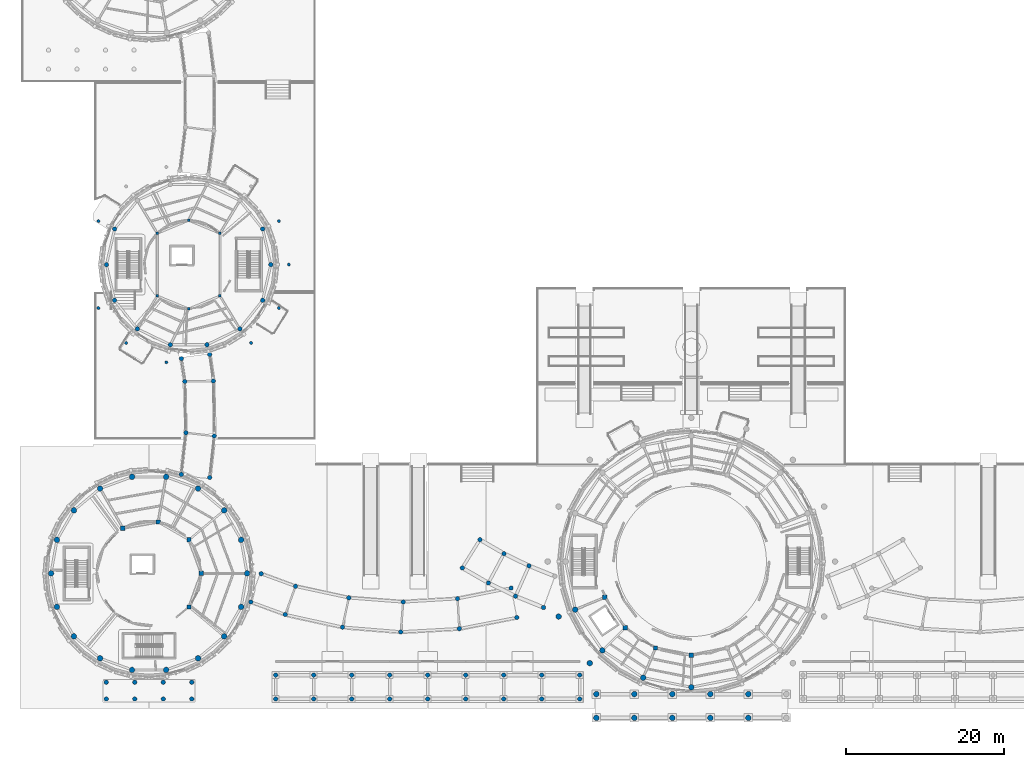
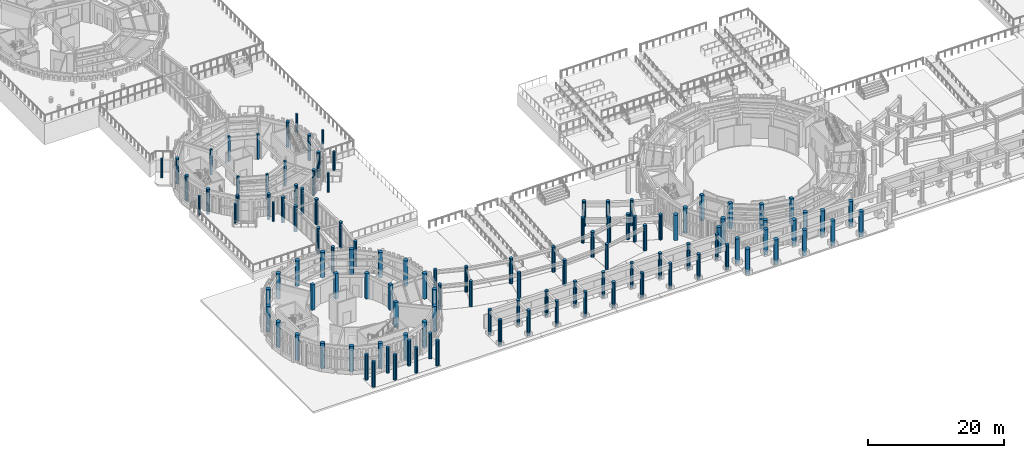
# One storey, part 1 of 94: 120 columns.
"""IFC4 building model written with IfcOpenShell, lengths in metres."""

from ifc_helpers import new_model, si_unit, direction, frame, origin, origin_2d, place, context, subcontext, project, spatial, rectangle, circle, extrude, material, material_profile, profile_set, type_object, element, save


model = new_model("IFC4")

# Units and contexts
model_context = context("Model", 3, precision=1e-05, world=origin(), true_north=direction((0.0, 1.0)))
body_context = subcontext(model_context, "Body", "Model", "MODEL_VIEW")
ifc_project = project(units=[si_unit("LENGTHUNIT", "METRE"), si_unit("AREAUNIT", "SQUARE_METRE"), si_unit("VOLUMEUNIT", "CUBIC_METRE"), si_unit("PLANEANGLEUNIT", "RADIAN"), si_unit("MASSUNIT", "GRAM", prefix="KILO")], contexts=[model_context])

# Site, building, storey
site_placement = place(None, origin())
site = spatial("IfcSite", under=ifc_project, at=site_placement, CompositionType="ELEMENT")
building_placement = place(site_placement, origin())
building = spatial("IfcBuilding", under=site, at=building_placement, Name="Aldenvaro Health Centre", CompositionType="ELEMENT")
storey_placement = place(building_placement, origin())
storey = spatial("IfcBuildingStorey", under=building, at=storey_placement, Name="L00", CompositionType="ELEMENT", Elevation=0.0)

# Columns
ifc_material_1 = material(Name="Glulam GL28h", Category="wood")
ifc_material_profile_1 = material_profile(ifc_material_1, rectangle(XDim=0.31494140625, YDim=0.31494140625, at=origin_2d()), Name="GL 315x315", Category="wood")
ifc_profile_set_1 = profile_set([ifc_material_profile_1], Name="Glulam GL28h")
column_type_1 = type_object("IfcColumnType", Name="COL-GL-315", PredefinedType="COLUMN", material=ifc_profile_set_1)
for number, where, z_axis, x_axis, name in (
    (1, (27.4599609375, 61.4599609375, 0.0), (0.0, 0.0, 1.0), (1.0, 0.0, 0.0), "D3 L00 column IN-01"),
    (2, (23.5, 63.10009765625, 0.0), (0.0, 0.0, 1.0), (1.0, 0.0, 0.0), "D3 L00 column IN-02"),
    (3, (19.5400390625, 61.4599609375, 0.0), (0.0, 0.0, 1.0), (1.0, 0.0, 0.0), "D3 L00 column IN-03"),
    (4, (19.5400390625, 53.5400390625, 0.0), (0.0, 0.0, 1.0), (1.0, 0.0, 0.0), "D3 L00 column IN-04"),
    (5, (23.5, 51.89990234375, 0.0), (0.0, 0.0, 1.0), (1.0, 0.0, 0.0), "D3 L00 column IN-05"),
    (6, (27.4599609375, 53.5400390625, 0.0), (0.0, 0.0, 1.0), (1.0, 0.0, 0.0), "D3 L00 column IN-06"),
):
    element("IfcColumn", number, at=place(storey_placement, frame(where, z_axis=z_axis, x_axis=x_axis)), inside=storey, type_object=column_type_1, Name=name, PredefinedType="COLUMN", context=body_context, shape_type="SweptSolid", body=[
        extrude(rectangle(XDim=0.31494140625, YDim=0.31494140625, at=origin_2d()), origin(), (0.0, 0.0, 1.0), 4.550048828125),
    ])
ifc_material_profile_2 = material_profile(ifc_material_1, circle(Radius=0.18994140625, at=origin_2d()), Name="GL D380", Category="wood")
ifc_profile_set_2 = profile_set([ifc_material_profile_2], Name="Glulam GL28h")
column_type_2 = type_object("IfcColumnType", Name="COL-GL-D380", PredefinedType="PILASTER", material=ifc_profile_set_2)
for number, where, z_axis, x_axis, name in (
    (7, (36.14990234375, 57.5, 1.14990234375), (0.0, 0.0, 1.0), (1.0, 0.0, 0.0), "Garden Pavilion Peristyle Lower Column 01"),
    (8, (34.89697265625, 62.989013671875, 1.14990234375), (0.0, 0.0, 1.0), (1.0, 0.0, 0.0), "Garden Pavilion Peristyle Lower Column 02"),
    (9, (12.10302734375, 62.989013671875, 1.14990234375), (0.0, 0.0, 1.0), (1.0, 0.0, 0.0), "Garden Pavilion Peristyle Lower Column 07"),
    (10, (12.10302734375, 52.010986328125, 1.14990234375), (0.0, 0.0, 1.0), (1.0, 0.0, 0.0), "Garden Pavilion Peristyle Lower Column 09"),
    (11, (15.613037109375, 47.610107421875, 1.14990234375), (0.0, 0.0, 1.0), (1.0, 0.0, 0.0), "Garden Pavilion Peristyle Lower Column 10"),
    (12, (20.68505859375, 45.1669921875, 1.14990234375), (0.0, 0.0, 1.0), (1.0, 0.0, 0.0), "Garden Pavilion Peristyle Lower Column 11"),
    (13, (31.386962890625, 47.610107421875, 1.14990234375), (0.0, 0.0, 1.0), (1.0, 0.0, 0.0), "Garden Pavilion Peristyle Lower Column 13"),
    (14, (34.89697265625, 52.010986328125, 1.14990234375), (0.0, 0.0, 1.0), (1.0, 0.0, 0.0), "Garden Pavilion Peristyle Lower Column 14"),
):
    element("IfcColumn", number, at=place(storey_placement, frame(where, z_axis=z_axis, x_axis=x_axis)), inside=storey, type_object=column_type_2, Name=name, PredefinedType="PILASTER", context=body_context, shape_type="SweptSolid", body=[
        extrude(circle(Radius=0.18994140625, at=origin_2d()), origin(), (0.0, 0.0, 1.0), 3.400146484375),
    ])
ifc_material_2 = material(Name="Concrete f'c 40 MPa", Category="concrete")
ifc_material_profile_3 = material_profile(ifc_material_2, rectangle(XDim=0.550048828125, YDim=0.550048828125, at=origin_2d()), Name="RC 550x550", Category="concrete")
ifc_profile_set_3 = profile_set([ifc_material_profile_3], Name="Concrete f'c 40 MPa")
column_type_3 = type_object("IfcColumnType", Name="COL-RC-550", PredefinedType="COLUMN", material=ifc_profile_set_3)
for number, where, z_axis, x_axis, name in (
    (15, (76.080078125, 15.47705078125, 0.0), (0.0, 0.0, 1.0), (1.0, 0.0, 0.0), "D1 L00 column IN-08"),
    (16, (78.64208984375, 11.64208984375, 0.0), (0.0, 0.0, 1.0), (1.0, 0.0, 0.0), "D1 L00 column IN-09"),
    (17, (82.47705078125, 9.080078125, 0.0), (0.0, 0.0, 1.0), (1.0, 0.0, 0.0), "D1 L00 column IN-10"),
    (18, (87.0, 8.179931640625, 0.0), (0.0, 0.0, 1.0), (1.0, 0.0, 0.0), "D1 L00 column IN-11"),
    (19, (25.10009765625, 18.5, 0.0), (0.0, 0.0, 1.0), (1.0, 0.0, 0.0), "D5 L00 column IN-01"),
    (20, (23.555908203125, 22.741943359375, 0.0), (0.0, 0.0, 1.0), (1.0, 0.0, 0.0), "D5 L00 column IN-02"),
    (21, (19.64599609375, 25.0, 0.0), (0.0, 0.0, 1.0), (1.0, 0.0, 0.0), "D5 L00 column IN-03"),
    (22, (15.199951171875, 24.216064453125, 0.0), (0.0, 0.0, 1.0), (1.0, 0.0, 0.0), "D5 L00 column IN-04"),
    (23, (23.555908203125, 14.258056640625, 0.0), (0.0, 0.0, 1.0), (1.0, 0.0, 0.0), "D5 L00 column IN-05"),
):
    element("IfcColumn", number, at=place(storey_placement, frame(where, z_axis=z_axis, x_axis=x_axis)), inside=storey, type_object=column_type_3, Name=name, PredefinedType="COLUMN", context=body_context, shape_type="SweptSolid", body=[
        extrude(rectangle(XDim=0.550048828125, YDim=0.550048828125, at=origin_2d()), origin(), (0.0, 0.0, 1.0), 4.550048828125),
    ])
ifc_material_profile_4 = material_profile(ifc_material_2, circle(Radius=0.27490234375, at=origin_2d()), Name="RC D550", Category="concrete")
ifc_profile_set_4 = profile_set([ifc_material_profile_4], Name="Concrete f'c 40 MPa")
column_type_4 = type_object("IfcColumnType", Name="COL-RC-D550", PredefinedType="PILASTER", material=ifc_profile_set_4)
for number, where, z_axis, x_axis, name in (
    (24, (33.8798828125, 57.5, 0.0), (0.0, 0.0, 1.0), (1.0, 0.0, 0.0), "D3 L00 column OUT-01"),
    (25, (32.85205078125, 62.00390625, 0.0), (0.0, 0.0, 1.0), (1.0, 0.0, 0.0), "D3 L00 column OUT-02"),
    (26, (14.14794921875, 62.00390625, 0.0), (0.0, 0.0, 1.0), (1.0, 0.0, 0.0), "D3 L00 column OUT-07"),
    (27, (13.1201171875, 57.5, 0.0), (0.0, 0.0, 1.0), (1.0, 0.0, 0.0), "D3 L00 column OUT-08"),
    (28, (14.14794921875, 52.99609375, 0.0), (0.0, 0.0, 1.0), (1.0, 0.0, 0.0), "D3 L00 column OUT-09"),
    (29, (17.028076171875, 49.385009765625, 0.0), (0.0, 0.0, 1.0), (1.0, 0.0, 0.0), "D3 L00 column OUT-10"),
    (30, (21.18994140625, 47.3798828125, 0.0), (0.0, 0.0, 1.0), (1.0, 0.0, 0.0), "D3 L00 column OUT-11"),
    (31, (25.81005859375, 47.3798828125, 0.0), (0.0, 0.0, 1.0), (1.0, 0.0, 0.0), "D3 L00 column OUT-12"),
    (32, (29.971923828125, 49.385009765625, 0.0), (0.0, 0.0, 1.0), (1.0, 0.0, 0.0), "D3 L00 column OUT-13"),
    (33, (32.85205078125, 52.99609375, 0.0), (0.0, 0.0, 1.0), (1.0, 0.0, 0.0), "D3 L00 column OUT-14"),
    (34, (60.2919921875, 22.758056640625, 0.0), (0.0, 0.0, 1.0), (1.0, 0.0, 0.0), "Neoclassical Colonnade Column 1.1"),
    (35, (58.06591796875, 19.197021484375, 0.0), (0.0, 0.0, 1.0), (1.0, 0.0, 0.0), "Neoclassical Colonnade Column 1.2"),
    (36, (63.339111328125, 20.9990234375, 0.0), (0.0, 0.0, 1.0), (1.0, 0.0, 0.0), "Neoclassical Colonnade Column 2.1"),
    (37, (61.366943359375, 17.291015625, 0.0), (0.0, 0.0, 1.0), (1.0, 0.0, 0.0), "Neoclassical Colonnade Column 2.2"),
    (38, (66.5, 19.45703125, 0.0), (0.0, 0.0, 1.0), (1.0, 0.0, 0.0), "Neoclassical Colonnade Column 3.1"),
    (39, (64.7919921875, 15.6201171875, 0.0), (0.0, 0.0, 1.0), (1.0, 0.0, 0.0), "Neoclassical Colonnade Column 3.2"),
    (40, (68.325927734375, 14.193115234375, 0.0), (0.0, 0.0, 1.0), (1.0, 0.0, 0.0), "Neoclassical Colonnade Column 4.2"),
    (41, (22.571044921875, 31.008056640625, 0.0), (0.0, 0.0, 1.0), (1.0, 0.0, 0.0), "West South Curved Garden Walkway Arc 1 L00 column 1.1"),
    (42, (26.14892578125, 30.611083984375, 0.0), (0.0, 0.0, 1.0), (1.0, 0.0, 0.0), "West South Curved Garden Walkway Arc 1 L00 column 1.2"),
    (43, (23.154052734375, 36.256103515625, 0.0), (0.0, 0.0, 1.0), (1.0, 0.0, 0.0), "West South Curved Garden Walkway Arc 1 L00 column 2.1"),
    (44, (26.73193359375, 35.85791015625, 0.0), (0.0, 0.0, 1.0), (1.0, 0.0, 0.0), "West South Curved Garden Walkway Arc 1 L00 column 2.2"),
    (45, (23.02587890625, 42.739990234375, 0.0), (0.0, 0.0, 1.0), (1.0, 0.0, 0.0), "West South Curved Garden Walkway Arc 2 L00 column 2.1"),
    (46, (26.6259765625, 42.802001953125, 0.0), (0.0, 0.0, 1.0), (1.0, 0.0, 0.0), "West South Curved Garden Walkway Arc 2 L00 column 2.2"),
    (47, (22.587890625, 45.632080078125, 0.0), (0.0, 0.0, 1.0), (1.0, 0.0, 0.0), "West South Curved Garden Walkway Arc 3 L00 column 2.1"),
    (48, (26.14990234375, 46.154052734375, 0.0), (0.0, 0.0, 1.0), (1.0, 0.0, 0.0), "West South Curved Garden Walkway Arc 3 L00 column 2.2"),
    (49, (32.6650390625, 18.4580078125, 0.0), (0.0, 0.0, 1.0), (1.0, 0.0, 0.0), "South West Curved Peristyle Walkway Arc 1 L00 column 1.1"),
    (50, (31.35888671875, 14.888916015625, 0.0), (0.0, 0.0, 1.0), (1.0, 0.0, 0.0), "South West Curved Peristyle Walkway Arc 1 L00 column 1.2"),
    (51, (37.006103515625, 16.868896484375, 0.0), (0.0, 0.0, 1.0), (1.0, 0.0, 0.0), "South West Curved Peristyle Walkway Arc 1 L00 column 2.1"),
    (52, (35.699951171875, 13.301025390625, 0.0), (0.0, 0.0, 1.0), (1.0, 0.0, 0.0), "South West Curved Peristyle Walkway Arc 1 L00 column 2.2"),
    (53, (43.736083984375, 15.4189453125, 0.0), (0.0, 0.0, 1.0), (1.0, 0.0, 0.0), "South West Curved Peristyle Walkway Arc 2 L00 column 2.1"),
    (54, (42.926025390625, 11.70703125, 0.0), (0.0, 0.0, 1.0), (1.0, 0.0, 0.0), "South West Curved Peristyle Walkway Arc 2 L00 column 2.2"),
    (55, (50.59912109375, 14.89697265625, 0.0), (0.0, 0.0, 1.0), (1.0, 0.0, 0.0), "South West Curved Peristyle Walkway Arc 3 L00 column 2.1"),
    (56, (50.301025390625, 11.10888671875, 0.0), (0.0, 0.0, 1.0), (1.0, 0.0, 0.0), "South West Curved Peristyle Walkway Arc 3 L00 column 2.2"),
    (57, (57.470947265625, 15.31103515625, 0.0), (0.0, 0.0, 1.0), (1.0, 0.0, 0.0), "South West Curved Peristyle Walkway Arc 4 L00 column 2.1"),
    (58, (57.68896484375, 11.51708984375, 0.0), (0.0, 0.0, 1.0), (1.0, 0.0, 0.0), "South West Curved Peristyle Walkway Arc 4 L00 column 2.2"),
    (59, (64.221923828125, 16.653076171875, 0.0), (0.0, 0.0, 1.0), (1.0, 0.0, 0.0), "South West Curved Peristyle Walkway Arc 5 L00 column 2.1"),
    (60, (64.9541015625, 12.925048828125, 0.0), (0.0, 0.0, 1.0), (1.0, 0.0, 0.0), "South West Curved Peristyle Walkway Arc 5 L00 column 2.2"),
    (61, (34.5, 2.64990234375, 0.0), (0.0, 0.0, 1.0), (1.0, 0.0, 0.0), "South Neoclassical Stoa W Lower Column 1.1"),
    (62, (34.5, 5.64990234375, 0.0), (0.0, 0.0, 1.0), (1.0, 0.0, 0.0), "South Neoclassical Stoa W Lower Column 1.2"),
    (63, (39.300048828125, 2.64990234375, 0.0), (0.0, 0.0, 1.0), (1.0, 0.0, 0.0), "South Neoclassical Stoa W Lower Column 2.1"),
    (64, (39.300048828125, 5.64990234375, 0.0), (0.0, 0.0, 1.0), (1.0, 0.0, 0.0), "South Neoclassical Stoa W Lower Column 2.2"),
    (65, (44.10009765625, 2.64990234375, 0.0), (0.0, 0.0, 1.0), (1.0, 0.0, 0.0), "South Neoclassical Stoa W Lower Column 3.1"),
    (66, (44.10009765625, 5.64990234375, 0.0), (0.0, 0.0, 1.0), (1.0, 0.0, 0.0), "South Neoclassical Stoa W Lower Column 3.2"),
    (67, (48.89990234375, 2.64990234375, 0.0), (0.0, 0.0, 1.0), (1.0, 0.0, 0.0), "South Neoclassical Stoa W Lower Column 4.1"),
    (68, (48.89990234375, 5.64990234375, 0.0), (0.0, 0.0, 1.0), (1.0, 0.0, 0.0), "South Neoclassical Stoa W Lower Column 4.2"),
    (69, (53.699951171875, 2.64990234375, 0.0), (0.0, 0.0, 1.0), (1.0, 0.0, 0.0), "South Neoclassical Stoa W Lower Column 5.1"),
    (70, (53.699951171875, 5.64990234375, 0.0), (0.0, 0.0, 1.0), (1.0, 0.0, 0.0), "South Neoclassical Stoa W Lower Column 5.2"),
    (71, (58.5, 2.64990234375, 0.0), (0.0, 0.0, 1.0), (1.0, 0.0, 0.0), "South Neoclassical Stoa W Lower Column 6.1"),
    (72, (58.5, 5.64990234375, 0.0), (0.0, 0.0, 1.0), (1.0, 0.0, 0.0), "South Neoclassical Stoa W Lower Column 6.2"),
    (73, (63.300048828125, 2.64990234375, 0.0), (0.0, 0.0, 1.0), (1.0, 0.0, 0.0), "South Neoclassical Stoa W Lower Column 7.1"),
    (74, (63.300048828125, 5.64990234375, 0.0), (0.0, 0.0, 1.0), (1.0, 0.0, 0.0), "South Neoclassical Stoa W Lower Column 7.2"),
    (75, (68.10009765625, 2.64990234375, 0.0), (0.0, 0.0, 1.0), (1.0, 0.0, 0.0), "South Neoclassical Stoa W Lower Column 8.1"),
    (76, (68.10009765625, 5.64990234375, 0.0), (0.0, 0.0, 1.0), (1.0, 0.0, 0.0), "South Neoclassical Stoa W Lower Column 8.2"),
    (77, (72.89990234375, 2.64990234375, 0.0), (0.0, 0.0, 1.0), (1.0, 0.0, 0.0), "South Neoclassical Stoa W Lower Column 9.1"),
    (78, (72.89990234375, 5.64990234375, 0.0), (0.0, 0.0, 1.0), (1.0, 0.0, 0.0), "South Neoclassical Stoa W Lower Column 9.2"),
    (79, (13.10009765625, 2.64990234375, 0.0), (0.0, 0.0, 1.0), (1.0, 0.0, 0.0), "Pavilion Tetrastyle Portico W5 Lower Column 1.1"),
    (80, (13.10009765625, 4.75, 0.0), (0.0, 0.0, 1.0), (1.0, 0.0, 0.0), "Pavilion Tetrastyle Portico W5 Lower Column 1.2"),
    (81, (16.699951171875, 2.64990234375, 0.0), (0.0, 0.0, 1.0), (1.0, 0.0, 0.0), "Pavilion Tetrastyle Portico W5 Lower Column 2.1"),
    (82, (16.699951171875, 4.75, 0.0), (0.0, 0.0, 1.0), (1.0, 0.0, 0.0), "Pavilion Tetrastyle Portico W5 Lower Column 2.2"),
    (83, (20.300048828125, 2.64990234375, 0.0), (0.0, 0.0, 1.0), (1.0, 0.0, 0.0), "Pavilion Tetrastyle Portico W5 Lower Column 3.1"),
    (84, (20.300048828125, 4.75, 0.0), (0.0, 0.0, 1.0), (1.0, 0.0, 0.0), "Pavilion Tetrastyle Portico W5 Lower Column 3.2"),
    (85, (23.89990234375, 2.64990234375, 0.0), (0.0, 0.0, 1.0), (1.0, 0.0, 0.0), "Pavilion Tetrastyle Portico W5 Lower Column 4.1"),
    (86, (23.89990234375, 4.75, 0.0), (0.0, 0.0, 1.0), (1.0, 0.0, 0.0), "Pavilion Tetrastyle Portico W5 Lower Column 4.2"),
):
    element("IfcColumn", number, at=place(storey_placement, frame(where, z_axis=z_axis, x_axis=x_axis)), inside=storey, type_object=column_type_4, Name=name, PredefinedType="PILASTER", context=body_context, shape_type="SweptSolid", body=[
        extrude(circle(Radius=0.27490234375, at=origin_2d()), origin(), (0.0, 0.0, 1.0), 4.550048828125),
    ])
ifc_material_profile_5 = material_profile(ifc_material_2, circle(Radius=0.35009765625, at=origin_2d()), Name="RC D700", Category="concrete")
ifc_profile_set_5 = profile_set([ifc_material_profile_5], Name="Concrete f'c 40 MPa")
column_type_5 = type_object("IfcColumnType", Name="COL-RC-D700", PredefinedType="COLUMN", material=ifc_profile_set_5)
for number, where, z_axis, x_axis, name in (
    (87, (72.3291015625, 13.923095703125, 0.0), (0.0, 0.0, 1.0), (1.0, 0.0, 0.0), "D1 L00 column OUT-10"),
    (88, (75.77099609375, 8.77099609375, 0.0), (0.0, 0.0, 1.0), (1.0, 0.0, 0.0), "D1 L00 column OUT-11"),
    (89, (80.923095703125, 5.3291015625, 0.0), (0.0, 0.0, 1.0), (1.0, 0.0, 0.0), "D1 L00 column OUT-12"),
    (90, (87.0, 4.1201171875, 0.0), (0.0, 0.0, 1.0), (1.0, 0.0, 0.0), "D1 L00 column OUT-13"),
    (91, (30.8798828125, 18.5, 0.0), (0.0, 0.0, 1.0), (1.0, 0.0, 0.0), "D5 L00 column OUT-01"),
    (92, (30.133056640625, 22.73388671875, 0.0), (0.0, 0.0, 1.0), (1.0, 0.0, 0.0), "D5 L00 column OUT-02"),
    (93, (27.98388671875, 26.4580078125, 0.0), (0.0, 0.0, 1.0), (1.0, 0.0, 0.0), "D5 L00 column OUT-03"),
    (94, (24.68994140625, 29.220947265625, 0.0), (0.0, 0.0, 1.0), (1.0, 0.0, 0.0), "D5 L00 column OUT-04"),
    (95, (20.64990234375, 30.69189453125, 0.0), (0.0, 0.0, 1.0), (1.0, 0.0, 0.0), "D5 L00 column OUT-05"),
    (96, (16.35009765625, 30.69189453125, 0.0), (0.0, 0.0, 1.0), (1.0, 0.0, 0.0), "D5 L00 column OUT-06"),
    (97, (12.31005859375, 29.220947265625, 0.0), (0.0, 0.0, 1.0), (1.0, 0.0, 0.0), "D5 L00 column OUT-07"),
    (98, (9.01611328125, 26.4580078125, 0.0), (0.0, 0.0, 1.0), (1.0, 0.0, 0.0), "D5 L00 column OUT-08"),
    (99, (6.866943359375, 22.73388671875, 0.0), (0.0, 0.0, 1.0), (1.0, 0.0, 0.0), "D5 L00 column OUT-09"),
    (100, (6.1201171875, 18.5, 0.0), (0.0, 0.0, 1.0), (1.0, 0.0, 0.0), "D5 L00 column OUT-10"),
    (101, (6.866943359375, 14.26611328125, 0.0), (0.0, 0.0, 1.0), (1.0, 0.0, 0.0), "D5 L00 column OUT-11"),
    (102, (9.01611328125, 10.5419921875, 0.0), (0.0, 0.0, 1.0), (1.0, 0.0, 0.0), "D5 L00 column OUT-12"),
    (103, (12.31005859375, 7.779052734375, 0.0), (0.0, 0.0, 1.0), (1.0, 0.0, 0.0), "D5 L00 column OUT-13"),
    (104, (16.35009765625, 6.30810546875, 0.0), (0.0, 0.0, 1.0), (1.0, 0.0, 0.0), "D5 L00 column OUT-14"),
    (105, (20.64990234375, 6.30810546875, 0.0), (0.0, 0.0, 1.0), (1.0, 0.0, 0.0), "D5 L00 column OUT-15"),
    (106, (24.68994140625, 7.779052734375, 0.0), (0.0, 0.0, 1.0), (1.0, 0.0, 0.0), "D5 L00 column OUT-16"),
    (107, (27.98388671875, 10.5419921875, 0.0), (0.0, 0.0, 1.0), (1.0, 0.0, 0.0), "D5 L00 column OUT-17"),
    (108, (30.133056640625, 14.26611328125, 0.0), (0.0, 0.0, 1.0), (1.0, 0.0, 0.0), "D5 L00 column OUT-18"),
    (109, (75.0, 0.25, 0.0), (0.0, 0.0, 1.0), (1.0, 0.0, 0.0), "Neoclassical Portico Giant Column Lower 1.1"),
    (110, (75.0, 3.25, 0.0), (0.0, 0.0, 1.0), (1.0, 0.0, 0.0), "Neoclassical Portico Giant Column Lower 1.2"),
    (111, (79.800048828125, 0.25, 0.0), (0.0, 0.0, 1.0), (1.0, 0.0, 0.0), "Neoclassical Portico Giant Column Lower 2.1"),
    (112, (79.800048828125, 3.25, 0.0), (0.0, 0.0, 1.0), (1.0, 0.0, 0.0), "Neoclassical Portico Giant Column Lower 2.2"),
    (113, (84.60009765625, 0.25, 0.0), (0.0, 0.0, 1.0), (1.0, 0.0, 0.0), "Neoclassical Portico Giant Column Lower 3.1"),
    (114, (84.60009765625, 3.25, 0.0), (0.0, 0.0, 1.0), (1.0, 0.0, 0.0), "Neoclassical Portico Giant Column Lower 3.2"),
    (115, (89.39990234375, 0.25, 0.0), (0.0, 0.0, 1.0), (1.0, 0.0, 0.0), "Neoclassical Portico Giant Column Lower 4.1"),
    (116, (89.39990234375, 3.25, 0.0), (0.0, 0.0, 1.0), (1.0, 0.0, 0.0), "Neoclassical Portico Giant Column Lower 4.2"),
    (117, (94.199951171875, 0.25, 0.0), (0.0, 0.0, 1.0), (1.0, 0.0, 0.0), "Neoclassical Portico Giant Column Lower 5.1"),
    (118, (94.199951171875, 3.25, 0.0), (0.0, 0.0, 1.0), (1.0, 0.0, 0.0), "Neoclassical Portico Giant Column Lower 5.2"),
    (119, (70.23193359375, 13.053955078125, 0.0), (0.0, 0.0, 1.0), (1.0, 0.0, 0.0), "Waiting Rotunda Peristyle Lower Column 10"),
    (120, (74.166015625, 7.166015625, 0.0), (0.0, 0.0, 1.0), (1.0, 0.0, 0.0), "Waiting Rotunda Peristyle Lower Column 11"),
):
    element("IfcColumn", number, at=place(storey_placement, frame(where, z_axis=z_axis, x_axis=x_axis)), inside=storey, type_object=column_type_5, Name=name, PredefinedType="COLUMN", context=body_context, shape_type="SweptSolid", body=[
        extrude(circle(Radius=0.35009765625, at=origin_2d()), origin(), (0.0, 0.0, 1.0), 4.550048828125),
    ])

save(model, "model.ifc")
